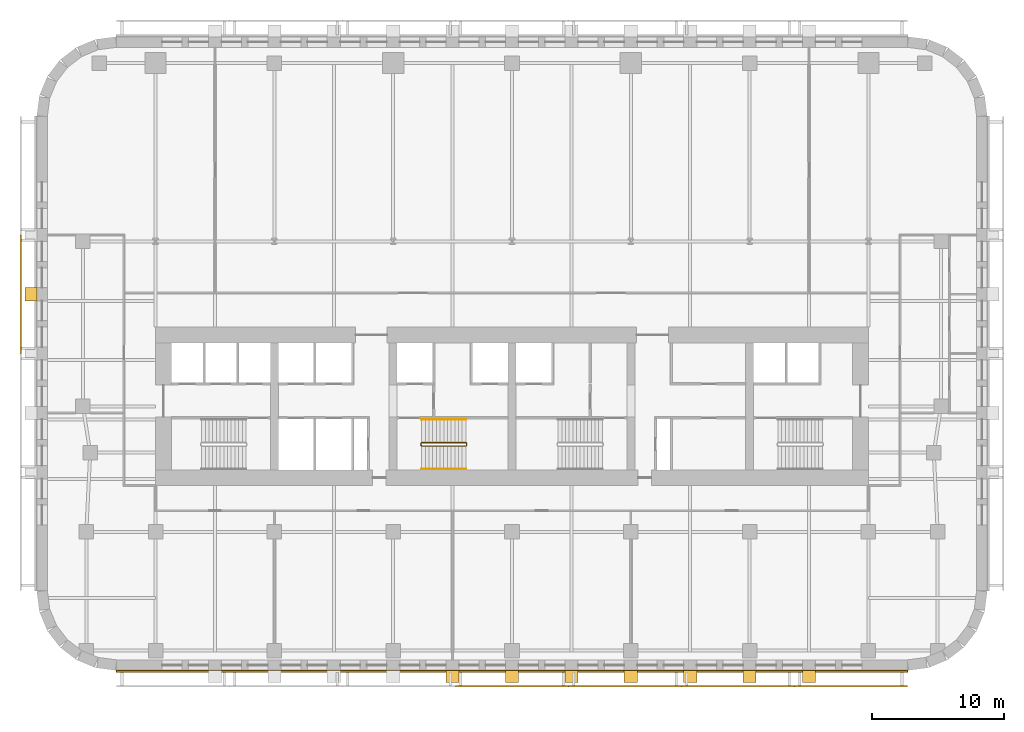
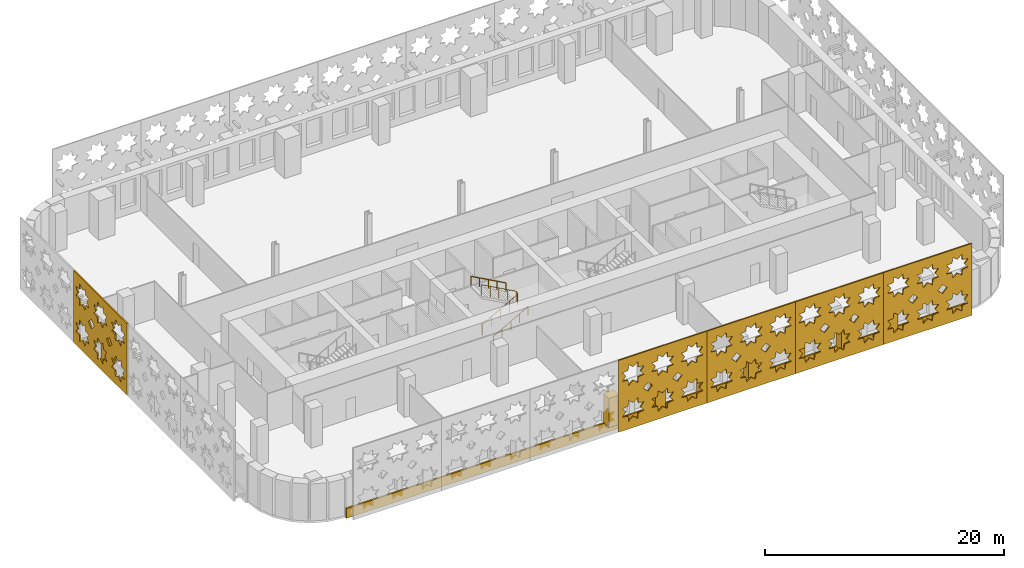
# One storey, part 10 of 13: 14 coverings, 3 railings.
"""IFC4 building model written with IfcOpenShell, lengths in metres."""

import ifcopenshell
import ifcopenshell.guid

model = None  # the IFC model being written
_history = None  # IfcOwnerHistory: only IFC2X3 demands one
_inside = {}  # id of a spatial element -> (the spatial element, [elements in it])
_under = {}  # id of a project, library or spatial element -> (it, [spatial elements below it])
_declared = {}  # id of a project -> (the project, [libraries it declares])
_typed = {}  # id of a type object -> (the type object, [elements of that type])
_made_of = {}  # id of a material, layer set ... -> (it, [elements and type objects made of it])


def new_model(schema):
    """Start an empty IFC model of exactly this schema.

    Asked for "IFC4X3", IfcOpenShell would pick the latest addendum, in which some entities
    have other attributes; the version numbers below select the first issue.
    IFC2X3 requires an IfcOwnerHistory on every rooted entity: one is made here for all.
    """
    global model, _history
    if schema == "IFC4X3":
        model = ifcopenshell.file(schema_version=(4, 3, 0, 0))
    else:
        model = ifcopenshell.file(schema=schema)
    _inside.clear()
    _under.clear()
    _declared.clear()
    _typed.clear()
    _made_of.clear()
    _history = None
    if model.schema == "IFC2X3":
        org = make("IfcOrganization", Name="unknown")
        user = make(
            "IfcPersonAndOrganization",
            ThePerson=make("IfcPerson", FamilyName="unknown"),
            TheOrganization=org,
        )
        app = make(
            "IfcApplication",
            ApplicationDeveloper=org,
            Version="unknown",
            ApplicationFullName="unknown",
            ApplicationIdentifier="unknown",
        )
        _history = make(
            "IfcOwnerHistory",
            OwningUser=user,
            OwningApplication=app,
            ChangeAction="ADDED",
            CreationDate=0,
        )
    return model


def make(cls, **values):
    """One entity of the class cls with the attributes given. An attribute that is None is left unset."""
    return model.create_entity(
        cls, **{name: value for name, value in values.items() if value is not None}
    )


def rooted(cls, **values):
    """An entity with a GlobalId (a new one), such as an element, a storey or a relation."""
    return make(cls, GlobalId=ifcopenshell.guid.new(), OwnerHistory=_history, **values)


def si_unit(unit_type, name, prefix=None):
    """IfcSIUnit, for example si_unit("LENGTHUNIT", "METRE", prefix="MILLI")."""
    return make("IfcSIUnit", UnitType=unit_type, Prefix=prefix, Name=name)


def assignment(units):
    """IfcUnitAssignment: the units of a project."""
    return None if units is None else make("IfcUnitAssignment", Units=units)


def point(xyz):
    """IfcCartesianPoint."""
    return None if xyz is None else make("IfcCartesianPoint", Coordinates=xyz)


def direction(xyz):
    """IfcDirection."""
    return None if xyz is None else make("IfcDirection", DirectionRatios=xyz)


def frame(location, z_axis=None, x_axis=None):
    """IfcAxis2Placement3D, a coordinate frame: its origin and axes. An axis left out is left unset."""
    return make(
        "IfcAxis2Placement3D",
        Location=point(location),
        Axis=direction(z_axis),
        RefDirection=direction(x_axis),
    )


def frame_2d(location, x_axis=None):
    """IfcAxis2Placement2D, a coordinate frame in the plane: its origin and x axis."""
    return make(
        "IfcAxis2Placement2D", Location=point(location), RefDirection=direction(x_axis)
    )


def origin():
    """The frame at (0, 0, 0) with its axes left unset."""
    return frame((0.0, 0.0, 0.0))


def origin_2d():
    """The frame at (0, 0) in the plane with its x axis left unset."""
    return frame_2d((0.0, 0.0))


def place(relative_to, where):
    """IfcLocalPlacement: puts the frame where relative to a parent placement (None: the world)."""
    return make(
        "IfcLocalPlacement", PlacementRelTo=relative_to, RelativePlacement=where
    )


def context(
    kind, dimensions, precision=None, world=None, true_north=None, identifier=None
):
    """IfcGeometricRepresentationContext, for example the 3D "Model" context."""
    return make(
        "IfcGeometricRepresentationContext",
        ContextIdentifier=identifier,
        ContextType=kind,
        CoordinateSpaceDimension=dimensions,
        Precision=precision,
        WorldCoordinateSystem=world,
        TrueNorth=true_north,
    )


def subcontext(parent, identifier, kind, view, scale=None):
    """IfcGeometricRepresentationSubContext, for example "Body" below "Model"."""
    return make(
        "IfcGeometricRepresentationSubContext",
        ContextIdentifier=identifier,
        ContextType=kind,
        ParentContext=parent,
        TargetScale=scale,
        TargetView=view,
    )


def project(units=None, contexts=None):
    """IfcProject with its units and contexts."""
    return rooted(
        "IfcProject",
        Name="project",
        RepresentationContexts=contexts,
        UnitsInContext=assignment(units),
    )


def spatial(cls, under=None, at=None, **own):
    """A site, building, storey or space (cls), placed at a placement, below another one or the project."""
    s = rooted(cls, ObjectPlacement=at, **own)
    if under is not None:
        _under.setdefault(under.id(), (under, []))[1].append(s)
    return s


def polyline(points):
    """IfcPolyline through the points."""
    return make("IfcPolyline", Points=[point(p) for p in points])


def profile(cls, at=None, kind="AREA", **sizes):
    """A parametric profile (cls). Its sizes go by their IFC names, for example OverallWidth=200.0."""
    return make(cls, ProfileType=kind, Position=at, **sizes)


def circle(**sizes):
    """IfcCircleProfileDef."""
    return profile("IfcCircleProfileDef", **sizes)


def outline(outer, holes=None, kind="AREA"):
    """IfcArbitraryClosedProfileDef: a profile drawn as a closed curve; with holes, ...WithVoids."""
    if holes is None:
        return make("IfcArbitraryClosedProfileDef", ProfileType=kind, OuterCurve=outer)
    return make(
        "IfcArbitraryProfileDefWithVoids",
        ProfileType=kind,
        OuterCurve=outer,
        InnerCurves=holes,
    )


def extrude(swept, where, along, depth):
    """IfcExtrudedAreaSolid: the profile swept, set in the frame where, extruded along a direction by depth."""
    return make(
        "IfcExtrudedAreaSolid",
        SweptArea=swept,
        Position=where,
        ExtrudedDirection=direction(along),
        Depth=depth,
    )


def shape(context_of_items, identifier, shape_type, items):
    """IfcShapeRepresentation: the items that make up one representation, for example the "Body"."""
    return make(
        "IfcShapeRepresentation",
        ContextOfItems=context_of_items,
        RepresentationIdentifier=identifier,
        RepresentationType=shape_type,
        Items=items,
    )


def material(Name=None, Category=None):
    """IfcMaterial."""
    return make("IfcMaterial", Name=Name, Category=Category)


def layer(
    of_material, thickness, ventilated=None, Name=None, Category=None, Priority=None
):
    """IfcMaterialLayer: one layer of a wall or slab, of a material (None: an air gap)."""
    return make(
        "IfcMaterialLayer",
        Material=of_material,
        LayerThickness=thickness,
        IsVentilated=ventilated,
        Name=Name,
        Category=Category,
        Priority=Priority,
    )


def layer_set(layers, Name=None):
    """IfcMaterialLayerSet."""
    return make("IfcMaterialLayerSet", MaterialLayers=layers, LayerSetName=Name)


def made_of(thing, what):
    """Note that an element or type object is made of a material, layer set ...; save() writes the relation."""
    if what is not None:
        _made_of.setdefault(what.id(), (what, []))[1].append(thing)
    return thing


def type_object(cls, material=None, **own):
    """A type object (cls), such as IfcWallType, which elements share."""
    return made_of(rooted(cls, **own), material)


def element(
    cls,
    number,
    at=None,
    inside=None,
    cuts=None,
    type_object=None,
    material=None,
    context=None,
    identifier="Body",
    shape_type=None,
    held_by="IfcProductDefinitionShape",
    body=None,
    shapes=None,
    **own,
):
    """One element of the class cls, such as IfcWall. Its Tag is "e" and its number.

    at: its placement. inside: the storey or other place that contains it. cuts: it is an
    opening in that element (IfcRelVoidsElement). A single representation is given by context,
    identifier, shape_type and body (its items); several are given by shapes. held_by: the class
    of the entity that holds the representations. save() writes the other relations.
    """
    e = rooted(cls, Tag="e%d" % number, ObjectPlacement=at, **own)
    if body is not None:
        shapes = [shape(context, identifier, shape_type, body)]
    if shapes is not None:
        e.Representation = make(held_by, Representations=shapes)
    if inside is not None:
        _inside.setdefault(inside.id(), (inside, []))[1].append(e)
    if cuts is not None:
        rooted(
            "IfcRelVoidsElement", RelatingBuildingElement=cuts, RelatedOpeningElement=e
        )
    if type_object is not None:
        _typed.setdefault(type_object.id(), (type_object, []))[1].append(e)
    return made_of(e, material)


def aggregate(whole, parts):
    """IfcRelAggregates: a whole, such as a stair, and the parts it consists of."""
    return rooted("IfcRelAggregates", RelatingObject=whole, RelatedObjects=parts)


def save(model, path):
    """Write the relations noted so far, then the file.

    IfcRelAggregates (storeys below a building ...), IfcRelContainedInSpatialStructure (elements
    in a storey), IfcRelDefinesByType, IfcRelAssociatesMaterial and IfcRelDeclares: one each for
    every whole, place, type object, material and project.
    """
    for whole, parts in _under.values():
        aggregate(whole, parts)
    for where, things in _inside.values():
        rooted(
            "IfcRelContainedInSpatialStructure",
            RelatedElements=things,
            RelatingStructure=where,
        )
    for kind, things in _typed.values():
        rooted("IfcRelDefinesByType", RelatedObjects=things, RelatingType=kind)
    for what, things in _made_of.values():
        rooted("IfcRelAssociatesMaterial", RelatedObjects=things, RelatingMaterial=what)
    for by, libraries in _declared.values():
        rooted("IfcRelDeclares", RelatingContext=by, RelatedDefinitions=libraries)
    model.write(path)


model = new_model("IFC4")

# Units and contexts
model_context = context("Model", 3, precision=1e-05, world=origin(), true_north=direction((0.0, 1.0)))
body_context = subcontext(model_context, "Body", "Model", "MODEL_VIEW")
ifc_project = project(units=[si_unit("LENGTHUNIT", "METRE"), si_unit("AREAUNIT", "SQUARE_METRE"), si_unit("VOLUMEUNIT", "CUBIC_METRE"), si_unit("PLANEANGLEUNIT", "RADIAN"), si_unit("MASSUNIT", "GRAM", prefix="KILO")], contexts=[model_context])

# Site, building, storey
site_placement = place(None, origin())
site = spatial("IfcSite", under=ifc_project, at=site_placement, CompositionType="ELEMENT")
building_placement = place(site_placement, origin())
building = spatial("IfcBuilding", under=site, at=building_placement, Name="Zellij Exchange Tower", CompositionType="ELEMENT")
storey_placement = place(building_placement, frame((0.0, 0.0, 60.5)))
storey = spatial("IfcBuildingStorey", under=building, at=storey_placement, Name="L11", CompositionType="ELEMENT", Elevation=60.5)

# Railings
ifc_material_1 = material(Name="Stainless steel", Category="steel")
railing_type_1 = type_object("IfcRailingType", Name="CORE-RG stair guard", PredefinedType="GUARDRAIL", material=ifc_material_1)
railing_1_placement = place(storey_placement, frame((-6.89990234375, -10.949951171875, 0.0)))
element("IfcRailing", 1, at=railing_1_placement, inside=storey, type_object=railing_type_1, Name="ST2 stair guard L11", PredefinedType="GUARDRAIL", context=body_context, shape_type="SweptSolid", body=[
    extrude(circle(Radius=0.02392578125, at=origin_2d()), frame((0.0, 0.0, 1.076171875), z_axis=(0.0, 1.0, 0.0), x_axis=(-1.0, 0.0, 0.0)), (0.0, 0.0, 1.0), 0.14990234375),
    extrude(circle(Radius=0.02392578125, at=origin_2d()), frame((0.0, 0.14990234375, 1.076171875), z_axis=(0.193691321961, -0.777613689637, 0.598164376644), x_axis=(0.970351222016, 0.241699205484, 0.0)), (0.0, 0.0, 1.0), 0.257080078125),
    extrude(circle(Radius=0.02392578125, at=origin_2d()), frame((0.0498046875, -0.050048828125, 1.22998046875), z_axis=(0.876421534553, 0.0, 0.481544695509), x_axis=(0.0, 1.0, 0.0)), (0.0, 0.0, 1.0), 3.833984375),
    extrude(circle(Radius=0.02392578125, at=origin_2d()), frame((3.409912109375, -0.050048828125, 3.076171875), z_axis=(0.707106781187, 0.707106781187, 0.0), x_axis=(-0.707106781187, 0.707106781187, 0.0)), (0.0, 0.0, 1.0), 0.07080078125),
    extrude(circle(Radius=0.02392578125, at=origin_2d()), frame((3.4599609375, 0.0, 3.076171875), z_axis=(0.0, 1.0, 0.0), x_axis=(-1.0, 0.0, 0.0)), (0.0, 0.0, 1.0), 0.14990234375),
    extrude(circle(Radius=0.02392578125, at=origin_2d()), frame((3.4599609375, 0.14990234375, 3.076171875), z_axis=(-0.295599637079, 0.295599637079, 0.908428152975), x_axis=(-0.707106781187, -0.707106781187, 0.0)), (0.0, 0.0, 1.0), 0.16943359375),
    extrude(circle(Radius=0.02392578125, at=origin_2d()), frame((3.409912109375, 0.199951171875, 3.22998046875), z_axis=(-0.876421534553, 0.0, 0.481544695509), x_axis=(0.0, -1.0, 0.0)), (0.0, 0.0, 1.0), 3.833984375),
    extrude(circle(Radius=0.02099609375, at=origin_2d()), origin(), (0.0, 0.0, 1.0), 1.052001953125),
    extrude(circle(Radius=0.02099609375, at=origin_2d()), frame((0.0, 0.14990234375, 0.0)), (0.0, 0.0, 1.0), 1.052001953125),
    extrude(circle(Radius=0.02099609375, at=origin_2d()), frame((0.0498046875, -0.050048828125, 0.15380859375)), (0.0, 0.0, 1.0), 1.052001953125),
    extrude(circle(Radius=0.02099609375, at=origin_2d()), frame((0.889892578125, -0.050048828125, 0.615234375)), (0.0, 0.0, 1.0), 1.052001953125),
    extrude(circle(Radius=0.02099609375, at=origin_2d()), frame((1.72998046875, -0.050048828125, 1.076904296875)), (0.0, 0.0, 1.0), 1.052001953125),
    extrude(circle(Radius=0.02099609375, at=origin_2d()), frame((2.56982421875, -0.050048828125, 1.53857421875)), (0.0, 0.0, 1.0), 1.052001953125),
    extrude(circle(Radius=0.02099609375, at=origin_2d()), frame((3.409912109375, -0.050048828125, 2.0)), (0.0, 0.0, 1.0), 1.052001953125),
    extrude(circle(Radius=0.02099609375, at=origin_2d()), frame((3.4599609375, 0.0, 2.0)), (0.0, 0.0, 1.0), 1.052001953125),
    extrude(circle(Radius=0.02099609375, at=origin_2d()), frame((3.4599609375, 0.14990234375, 2.0)), (0.0, 0.0, 1.0), 1.052001953125),
    extrude(circle(Radius=0.02099609375, at=origin_2d()), frame((3.409912109375, 0.199951171875, 2.15380859375)), (0.0, 0.0, 1.0), 1.052001953125),
    extrude(circle(Radius=0.02099609375, at=origin_2d()), frame((2.56982421875, 0.199951171875, 2.615234375)), (0.0, 0.0, 1.0), 1.052001953125),
    extrude(circle(Radius=0.02099609375, at=origin_2d()), frame((1.72998046875, 0.199951171875, 3.076904296875)), (0.0, 0.0, 1.0), 1.052001953125),
    extrude(circle(Radius=0.02099609375, at=origin_2d()), frame((0.889892578125, 0.199951171875, 3.53857421875)), (0.0, 0.0, 1.0), 1.052001953125),
    extrude(circle(Radius=0.02099609375, at=origin_2d()), frame((0.0498046875, 0.199951171875, 4.0)), (0.0, 0.0, 1.0), 1.052001953125),
])
railing_type_2 = type_object("IfcRailingType", Name="CORE-RH stair handrail", PredefinedType="HANDRAIL", material=ifc_material_1)
railing_2_placement = place(storey_placement, frame((-6.85009765625, -12.75, 0.15380859375)))
element("IfcRailing", 2, at=railing_2_placement, inside=storey, type_object=railing_type_2, Name="ST2 stair handrail L11", PredefinedType="HANDRAIL", context=body_context, shape_type="SweptSolid", body=[
    extrude(circle(Radius=0.02392578125, at=origin_2d()), frame((0.0, 0.0, 0.8759765625), z_axis=(0.876421534553, 0.0, 0.481544695509), x_axis=(0.0, 1.0, 0.0)), (0.0, 0.0, 1.0), 3.833984375),
    extrude(circle(Radius=0.02099609375, at=origin_2d()), origin(), (0.0, 0.0, 1.0), 0.851806640625),
    extrude(circle(Radius=0.02099609375, at=origin_2d()), frame((0.840087890625, 0.0, 0.46142578125)), (0.0, 0.0, 1.0), 0.851806640625),
    extrude(circle(Radius=0.02099609375, at=origin_2d()), frame((1.68017578125, 0.0, 0.923095703125)), (0.0, 0.0, 1.0), 0.851806640625),
    extrude(circle(Radius=0.02099609375, at=origin_2d()), frame((2.52001953125, 0.0, 1.384765625)), (0.0, 0.0, 1.0), 0.851806640625),
    extrude(circle(Radius=0.02099609375, at=origin_2d()), frame((3.360107421875, 0.0, 1.84619140625)), (0.0, 0.0, 1.0), 0.851806640625),
])
railing_3_placement = place(storey_placement, frame((-3.489990234375, -9.0, 2.15380859375)))
element("IfcRailing", 3, at=railing_3_placement, inside=storey, type_object=railing_type_2, Name="ST2 stair handrail L11", PredefinedType="HANDRAIL", context=body_context, shape_type="SweptSolid", body=[
    extrude(circle(Radius=0.02392578125, at=origin_2d()), frame((0.0, 0.0, 0.8759765625), z_axis=(-0.876421534553, 0.0, 0.481544695509), x_axis=(0.0, -1.0, 0.0)), (0.0, 0.0, 1.0), 3.833984375),
    extrude(circle(Radius=0.02099609375, at=origin_2d()), origin(), (0.0, 0.0, 1.0), 0.851806640625),
    extrude(circle(Radius=0.02099609375, at=origin_2d()), frame((-0.840087890625, 0.0, 0.46142578125)), (0.0, 0.0, 1.0), 0.851806640625),
    extrude(circle(Radius=0.02099609375, at=origin_2d()), frame((-1.68017578125, 0.0, 0.923095703125)), (0.0, 0.0, 1.0), 0.851806640625),
    extrude(circle(Radius=0.02099609375, at=origin_2d()), frame((-2.52001953125, 0.0, 1.384765625)), (0.0, 0.0, 1.0), 0.851806640625),
    extrude(circle(Radius=0.02099609375, at=origin_2d()), frame((-3.360107421875, 0.0, 1.84619140625)), (0.0, 0.0, 1.0), 0.851806640625),
])

# Coverings
ifc_material_2 = material(Name="Limestone cladding", Category="masonry")
ifc_layer_1 = layer(ifc_material_2, 0.14990234375)
ifc_layer_set_1 = layer_set([ifc_layer_1], Name="Limestone cladding")
covering_type_1 = type_object("IfcCoveringType", Name="ENV-CV1 Stone spandrel band 150", PredefinedType="CLADDING", material=ifc_layer_set_1)
covering_1_placement = place(storey_placement, frame((0.0, 0.0, -0.199951171875)))
element("IfcCovering", 4, at=covering_1_placement, inside=storey, type_object=covering_type_1, Name="Stone spandrel band", PredefinedType="CLADDING", context=body_context, shape_type="SweptSolid", body=[
    extrude(outline(polyline([(-29.973876953125, -28.0), (29.973876953125, -28.0), (29.983642578125, -28.14990234375), (-29.983642578125, -28.14990234375), (-29.973876953125, -28.0)])), origin(), (0.0, 0.0, 1.0), 1.0),
])
covering_type_2 = type_object("IfcCoveringType", Name="ENV-CV2 Stone pier 1000x900", PredefinedType="CLADDING", material=ifc_material_2)
covering_2_placement = place(storey_placement, frame((0.0, 0.0, 0.800048828125)))
element("IfcCovering", 5, at=covering_2_placement, inside=storey, type_object=covering_type_2, Name="Stone pier", PredefinedType="CLADDING", context=body_context, shape_type="SweptSolid", body=[
    extrude(outline(polyline([(-5.0, -28.0), (-4.0, -28.0), (-4.0, -28.89990234375), (-5.0, -28.89990234375), (-5.0, -28.0)])), origin(), (0.0, 0.0, 1.0), 3.0),
])
covering_3_placement = place(storey_placement, frame((0.0, 0.0, 0.800048828125)))
element("IfcCovering", 6, at=covering_3_placement, inside=storey, type_object=covering_type_2, Name="Stone pier", PredefinedType="CLADDING", context=body_context, shape_type="SweptSolid", body=[
    extrude(outline(polyline([(-0.5, -28.0), (0.5, -28.0), (0.5, -28.89990234375), (-0.5, -28.89990234375), (-0.5, -28.0)])), origin(), (0.0, 0.0, 1.0), 3.0),
])
covering_4_placement = place(storey_placement, frame((0.0, 0.0, 0.800048828125)))
element("IfcCovering", 7, at=covering_4_placement, inside=storey, type_object=covering_type_2, Name="Stone pier", PredefinedType="CLADDING", context=body_context, shape_type="SweptSolid", body=[
    extrude(outline(polyline([(4.0, -28.0), (5.0, -28.0), (5.0, -28.89990234375), (4.0, -28.89990234375), (4.0, -28.0)])), origin(), (0.0, 0.0, 1.0), 3.0),
])
covering_5_placement = place(storey_placement, frame((0.0, 0.0, 0.800048828125)))
element("IfcCovering", 8, at=covering_5_placement, inside=storey, type_object=covering_type_2, Name="Stone pier", PredefinedType="CLADDING", context=body_context, shape_type="SweptSolid", body=[
    extrude(outline(polyline([(8.5, -28.0), (9.5, -28.0), (9.5, -28.89990234375), (8.5, -28.89990234375), (8.5, -28.0)])), origin(), (0.0, 0.0, 1.0), 3.0),
])
covering_6_placement = place(storey_placement, frame((0.0, 0.0, 0.800048828125)))
element("IfcCovering", 9, at=covering_6_placement, inside=storey, type_object=covering_type_2, Name="Stone pier", PredefinedType="CLADDING", context=body_context, shape_type="SweptSolid", body=[
    extrude(outline(polyline([(13.0, -28.0), (14.0, -28.0), (14.0, -28.89990234375), (13.0, -28.89990234375), (13.0, -28.0)])), origin(), (0.0, 0.0, 1.0), 3.0),
])
covering_7_placement = place(storey_placement, frame((0.0, 0.0, 0.800048828125)))
element("IfcCovering", 10, at=covering_7_placement, inside=storey, type_object=covering_type_2, Name="Stone pier", PredefinedType="CLADDING", context=body_context, shape_type="SweptSolid", body=[
    extrude(outline(polyline([(17.5, -28.0), (18.5, -28.0), (18.5, -28.89990234375), (17.5, -28.89990234375), (17.5, -28.0)])), origin(), (0.0, 0.0, 1.0), 3.0),
])
covering_8_placement = place(storey_placement, frame((0.0, 0.0, 0.800048828125)))
element("IfcCovering", 11, at=covering_8_placement, inside=storey, type_object=covering_type_2, Name="Stone pier", PredefinedType="CLADDING", context=body_context, shape_type="SweptSolid", body=[
    extrude(outline(polyline([(22.0, -28.0), (23.0, -28.0), (23.0, -28.89990234375), (22.0, -28.89990234375), (22.0, -28.0)])), origin(), (0.0, 0.0, 1.0), 3.0),
])
covering_9_placement = place(storey_placement, frame((0.0, 0.0, 0.800048828125)))
element("IfcCovering", 12, at=covering_9_placement, inside=storey, type_object=covering_type_2, Name="Stone pier", PredefinedType="CLADDING", context=body_context, shape_type="SweptSolid", body=[
    extrude(outline(polyline([(-36.0, 0.993408203125), (-36.0, -0.006591796875), (-36.89990234375, -0.006591796875), (-36.89990234375, 0.993408203125), (-36.0, 0.993408203125)])), origin(), (0.0, 0.0, 1.0), 3.0),
])
ifc_material_3 = material(Name="Limestone screen", Category="masonry")
ifc_layer_2 = layer(ifc_material_3, 0.1201171875)
ifc_layer_set_2 = layer_set([ifc_layer_2], Name="Limestone screen")
covering_type_3 = type_object("IfcCoveringType", Name="ENV-SC1 Pierced stone screen 120", PredefinedType="USERDEFINED", material=ifc_layer_set_2)
covering_10_placement = place(storey_placement, frame((-37.2099609375, 4.973876953125, 0.300048828125), z_axis=(0.0, 0.0, 1.0), x_axis=(0.0, -1.0, 0.0)))
element("IfcCovering", 13, at=covering_10_placement, inside=storey, type_object=covering_type_3, Name="Pierced stone screen", ObjectType="SCREEN", PredefinedType="USERDEFINED", context=body_context, shape_type="SweptSolid", body=[
    extrude(outline(polyline([(0.0, 0.0), (8.973876953125, 0.0), (8.973876953125, 7.35009765625), (0.0, 7.35009765625), (0.0, 0.0)]), holes=[polyline([(2.60107421875, 2.29541015625), (2.020263671875, 2.362060546875), (1.95361328125, 2.94287109375), (1.49560546875, 2.579345703125), (1.03759765625, 2.94287109375), (0.97119140625, 2.362060546875), (0.39013671875, 2.29541015625), (0.75390625, 1.83740234375), (0.39013671875, 1.379638671875), (0.97119140625, 1.31298828125), (1.03759765625, 0.732177734375), (1.49560546875, 1.095703125), (1.95361328125, 0.732177734375), (2.020263671875, 1.31298828125), (2.60107421875, 1.379638671875), (2.237548828125, 1.83740234375), (2.60107421875, 2.29541015625)]), polyline([(2.60107421875, 5.970458984375), (2.020263671875, 6.037109375), (1.95361328125, 6.617919921875), (1.49560546875, 6.25439453125), (1.03759765625, 6.617919921875), (0.97119140625, 6.037109375), (0.39013671875, 5.970458984375), (0.75390625, 5.512451171875), (0.39013671875, 5.0546875), (0.97119140625, 4.98779296875), (1.03759765625, 4.406982421875), (1.49560546875, 4.770751953125), (1.95361328125, 4.406982421875), (2.020263671875, 4.98779296875), (2.60107421875, 5.0546875), (2.237548828125, 5.512451171875), (2.60107421875, 5.970458984375)]), polyline([(5.59228515625, 2.29541015625), (5.011474609375, 2.362060546875), (4.94482421875, 2.94287109375), (4.48681640625, 2.579345703125), (4.029052734375, 2.94287109375), (3.96240234375, 2.362060546875), (3.381591796875, 2.29541015625), (3.7451171875, 1.83740234375), (3.381591796875, 1.379638671875), (3.96240234375, 1.31298828125), (4.029052734375, 0.732177734375), (4.48681640625, 1.095703125), (4.94482421875, 0.732177734375), (5.011474609375, 1.31298828125), (5.59228515625, 1.379638671875), (5.228759765625, 1.83740234375), (5.59228515625, 2.29541015625)]), polyline([(5.59228515625, 5.970458984375), (5.011474609375, 6.037109375), (4.94482421875, 6.617919921875), (4.48681640625, 6.25439453125), (4.029052734375, 6.617919921875), (3.96240234375, 6.037109375), (3.381591796875, 5.970458984375), (3.7451171875, 5.512451171875), (3.381591796875, 5.0546875), (3.96240234375, 4.98779296875), (4.029052734375, 4.406982421875), (4.48681640625, 4.770751953125), (4.94482421875, 4.406982421875), (5.011474609375, 4.98779296875), (5.59228515625, 5.0546875), (5.228759765625, 5.512451171875), (5.59228515625, 5.970458984375)]), polyline([(8.58349609375, 2.29541015625), (8.002685546875, 2.362060546875), (7.93603515625, 2.94287109375), (7.478271484375, 2.579345703125), (7.020263671875, 2.94287109375), (6.95361328125, 2.362060546875), (6.372802734375, 2.29541015625), (6.736328125, 1.83740234375), (6.372802734375, 1.379638671875), (6.95361328125, 1.31298828125), (7.020263671875, 0.732177734375), (7.478271484375, 1.095703125), (7.93603515625, 0.732177734375), (8.002685546875, 1.31298828125), (8.58349609375, 1.379638671875), (8.219970703125, 1.83740234375), (8.58349609375, 2.29541015625)]), polyline([(8.58349609375, 5.970458984375), (8.002685546875, 6.037109375), (7.93603515625, 6.617919921875), (7.478271484375, 6.25439453125), (7.020263671875, 6.617919921875), (6.95361328125, 6.037109375), (6.372802734375, 5.970458984375), (6.736328125, 5.512451171875), (6.372802734375, 5.0546875), (6.95361328125, 4.98779296875), (7.020263671875, 4.406982421875), (7.478271484375, 4.770751953125), (7.93603515625, 4.406982421875), (8.002685546875, 4.98779296875), (8.58349609375, 5.0546875), (8.219970703125, 5.512451171875), (8.58349609375, 5.970458984375)]), polyline([(3.469970703125, 3.675048828125), (2.9912109375, 4.153564453125), (2.5126953125, 3.675048828125), (2.9912109375, 3.1962890625), (3.469970703125, 3.675048828125)]), polyline([(6.461181640625, 3.675048828125), (5.982421875, 4.153564453125), (5.50390625, 3.675048828125), (5.982421875, 3.1962890625), (6.461181640625, 3.675048828125)])]), frame((0.0, 0.06005859375, 0.0), z_axis=(0.0, -1.0, 0.0), x_axis=(1.0, 0.0, 0.0)), (0.0, 0.0, 1.0), 0.1201171875),
])
covering_11_placement = place(storey_placement, frame((-4.2783203125, -29.2099609375, 0.300048828125), z_axis=(0.0, 0.0, 1.0), x_axis=(1.0, 0.0, 0.0)))
element("IfcCovering", 14, at=covering_11_placement, inside=storey, type_object=covering_type_3, Name="Pierced stone screen", ObjectType="SCREEN", PredefinedType="USERDEFINED", context=body_context, shape_type="SweptSolid", body=[
    extrude(outline(polyline([(0.0, 0.0), (8.556396484375, 0.0), (8.556396484375, 7.35009765625), (0.0, 7.35009765625), (0.0, 0.0)]), holes=[polyline([(2.47998046875, 2.274169921875), (1.92626953125, 2.337646484375), (1.86279296875, 2.8916015625), (1.426025390625, 2.544921875), (0.989501953125, 2.8916015625), (0.92578125, 2.337646484375), (0.3720703125, 2.274169921875), (0.71875, 1.83740234375), (0.3720703125, 1.40087890625), (0.92578125, 1.33740234375), (0.989501953125, 0.783447265625), (1.426025390625, 1.130126953125), (1.86279296875, 0.783447265625), (1.92626953125, 1.33740234375), (2.47998046875, 1.40087890625), (2.13330078125, 1.83740234375), (2.47998046875, 2.274169921875)]), polyline([(2.47998046875, 5.94921875), (1.92626953125, 6.0126953125), (1.86279296875, 6.56640625), (1.426025390625, 6.2197265625), (0.989501953125, 6.56640625), (0.92578125, 6.0126953125), (0.3720703125, 5.94921875), (0.71875, 5.512451171875), (0.3720703125, 5.075927734375), (0.92578125, 5.01220703125), (0.989501953125, 4.45849609375), (1.426025390625, 4.80517578125), (1.86279296875, 4.45849609375), (1.92626953125, 5.01220703125), (2.47998046875, 5.075927734375), (2.13330078125, 5.512451171875), (2.47998046875, 5.94921875)]), polyline([(5.332275390625, 2.274169921875), (4.7783203125, 2.337646484375), (4.71484375, 2.8916015625), (4.2783203125, 2.544921875), (3.841552734375, 2.8916015625), (3.778076171875, 2.337646484375), (3.22412109375, 2.274169921875), (3.57080078125, 1.83740234375), (3.22412109375, 1.40087890625), (3.778076171875, 1.33740234375), (3.841552734375, 0.783447265625), (4.2783203125, 1.130126953125), (4.71484375, 0.783447265625), (4.7783203125, 1.33740234375), (5.332275390625, 1.40087890625), (4.985595703125, 1.83740234375), (5.332275390625, 2.274169921875)]), polyline([(5.332275390625, 5.94921875), (4.7783203125, 6.0126953125), (4.71484375, 6.56640625), (4.2783203125, 6.2197265625), (3.841552734375, 6.56640625), (3.778076171875, 6.0126953125), (3.22412109375, 5.94921875), (3.57080078125, 5.512451171875), (3.22412109375, 5.075927734375), (3.778076171875, 5.01220703125), (3.841552734375, 4.45849609375), (4.2783203125, 4.80517578125), (4.71484375, 4.45849609375), (4.7783203125, 5.01220703125), (5.332275390625, 5.075927734375), (4.985595703125, 5.512451171875), (5.332275390625, 5.94921875)]), polyline([(8.184326171875, 2.274169921875), (7.630615234375, 2.337646484375), (7.56689453125, 2.8916015625), (7.13037109375, 2.544921875), (6.69384765625, 2.8916015625), (6.630126953125, 2.337646484375), (6.076416015625, 2.274169921875), (6.423095703125, 1.83740234375), (6.076416015625, 1.40087890625), (6.630126953125, 1.33740234375), (6.69384765625, 0.783447265625), (7.13037109375, 1.130126953125), (7.56689453125, 0.783447265625), (7.630615234375, 1.33740234375), (8.184326171875, 1.40087890625), (7.837646484375, 1.83740234375), (8.184326171875, 2.274169921875)]), polyline([(8.184326171875, 5.94921875), (7.630615234375, 6.0126953125), (7.56689453125, 6.56640625), (7.13037109375, 6.2197265625), (6.69384765625, 6.56640625), (6.630126953125, 6.0126953125), (6.076416015625, 5.94921875), (6.423095703125, 5.512451171875), (6.076416015625, 5.075927734375), (6.630126953125, 5.01220703125), (6.69384765625, 4.45849609375), (7.13037109375, 4.80517578125), (7.56689453125, 4.45849609375), (7.630615234375, 5.01220703125), (8.184326171875, 5.075927734375), (7.837646484375, 5.512451171875), (8.184326171875, 5.94921875)]), polyline([(3.30859375, 3.675048828125), (2.852294921875, 4.13134765625), (2.395751953125, 3.675048828125), (2.852294921875, 3.21875), (3.30859375, 3.675048828125)]), polyline([(6.16064453125, 3.675048828125), (5.704345703125, 4.13134765625), (5.248046875, 3.675048828125), (5.704345703125, 3.21875), (6.16064453125, 3.675048828125)])]), frame((0.0, 0.06005859375, 0.0), z_axis=(0.0, -1.0, 0.0), x_axis=(1.0, 0.0, 0.0)), (0.0, 0.0, 1.0), 0.1201171875),
])
covering_12_placement = place(storey_placement, frame((4.2783203125, -29.2099609375, 0.300048828125), z_axis=(0.0, 0.0, 1.0), x_axis=(1.0, 0.0, 0.0)))
element("IfcCovering", 15, at=covering_12_placement, inside=storey, type_object=covering_type_3, Name="Pierced stone screen", ObjectType="SCREEN", PredefinedType="USERDEFINED", context=body_context, shape_type="SweptSolid", body=[
    extrude(outline(polyline([(0.0, 0.0), (8.556396484375, 0.0), (8.556396484375, 7.35009765625), (0.0, 7.35009765625), (0.0, 0.0)]), holes=[polyline([(2.47998046875, 2.274169921875), (1.92626953125, 2.337646484375), (1.86279296875, 2.8916015625), (1.426025390625, 2.544921875), (0.989501953125, 2.8916015625), (0.92578125, 2.337646484375), (0.3720703125, 2.274169921875), (0.71875, 1.83740234375), (0.3720703125, 1.40087890625), (0.92578125, 1.33740234375), (0.989501953125, 0.783447265625), (1.426025390625, 1.130126953125), (1.86279296875, 0.783447265625), (1.92626953125, 1.33740234375), (2.47998046875, 1.40087890625), (2.13330078125, 1.83740234375), (2.47998046875, 2.274169921875)]), polyline([(2.47998046875, 5.94921875), (1.92626953125, 6.0126953125), (1.86279296875, 6.56640625), (1.426025390625, 6.2197265625), (0.989501953125, 6.56640625), (0.92578125, 6.0126953125), (0.3720703125, 5.94921875), (0.71875, 5.512451171875), (0.3720703125, 5.075927734375), (0.92578125, 5.01220703125), (0.989501953125, 4.45849609375), (1.426025390625, 4.80517578125), (1.86279296875, 4.45849609375), (1.92626953125, 5.01220703125), (2.47998046875, 5.075927734375), (2.13330078125, 5.512451171875), (2.47998046875, 5.94921875)]), polyline([(5.332275390625, 2.274169921875), (4.7783203125, 2.337646484375), (4.71484375, 2.8916015625), (4.2783203125, 2.544921875), (3.841552734375, 2.8916015625), (3.778076171875, 2.337646484375), (3.22412109375, 2.274169921875), (3.57080078125, 1.83740234375), (3.22412109375, 1.40087890625), (3.778076171875, 1.33740234375), (3.841552734375, 0.783447265625), (4.2783203125, 1.130126953125), (4.71484375, 0.783447265625), (4.7783203125, 1.33740234375), (5.332275390625, 1.40087890625), (4.985595703125, 1.83740234375), (5.332275390625, 2.274169921875)]), polyline([(5.332275390625, 5.94921875), (4.7783203125, 6.0126953125), (4.71484375, 6.56640625), (4.2783203125, 6.2197265625), (3.841552734375, 6.56640625), (3.778076171875, 6.0126953125), (3.22412109375, 5.94921875), (3.57080078125, 5.512451171875), (3.22412109375, 5.075927734375), (3.778076171875, 5.01220703125), (3.841552734375, 4.45849609375), (4.2783203125, 4.80517578125), (4.71484375, 4.45849609375), (4.7783203125, 5.01220703125), (5.332275390625, 5.075927734375), (4.985595703125, 5.512451171875), (5.332275390625, 5.94921875)]), polyline([(8.184326171875, 2.274169921875), (7.630615234375, 2.337646484375), (7.56689453125, 2.8916015625), (7.13037109375, 2.544921875), (6.69384765625, 2.8916015625), (6.630126953125, 2.337646484375), (6.076416015625, 2.274169921875), (6.423095703125, 1.83740234375), (6.076416015625, 1.40087890625), (6.630126953125, 1.33740234375), (6.69384765625, 0.783447265625), (7.13037109375, 1.130126953125), (7.56689453125, 0.783447265625), (7.630615234375, 1.33740234375), (8.184326171875, 1.40087890625), (7.837646484375, 1.83740234375), (8.184326171875, 2.274169921875)]), polyline([(8.184326171875, 5.94921875), (7.630615234375, 6.0126953125), (7.56689453125, 6.56640625), (7.13037109375, 6.2197265625), (6.69384765625, 6.56640625), (6.630126953125, 6.0126953125), (6.076416015625, 5.94921875), (6.423095703125, 5.512451171875), (6.076416015625, 5.075927734375), (6.630126953125, 5.01220703125), (6.69384765625, 4.45849609375), (7.13037109375, 4.80517578125), (7.56689453125, 4.45849609375), (7.630615234375, 5.01220703125), (8.184326171875, 5.075927734375), (7.837646484375, 5.512451171875), (8.184326171875, 5.94921875)]), polyline([(3.30859375, 3.675048828125), (2.852294921875, 4.13134765625), (2.395751953125, 3.675048828125), (2.852294921875, 3.21875), (3.30859375, 3.675048828125)]), polyline([(6.16064453125, 3.675048828125), (5.704345703125, 4.13134765625), (5.248046875, 3.675048828125), (5.704345703125, 3.21875), (6.16064453125, 3.675048828125)])]), frame((0.0, 0.06005859375, 0.0), z_axis=(0.0, -1.0, 0.0), x_axis=(1.0, 0.0, 0.0)), (0.0, 0.0, 1.0), 0.1201171875),
])
covering_13_placement = place(storey_placement, frame((12.834716796875, -29.2099609375, 0.300048828125), z_axis=(0.0, 0.0, 1.0), x_axis=(1.0, 0.0, 0.0)))
element("IfcCovering", 16, at=covering_13_placement, inside=storey, type_object=covering_type_3, Name="Pierced stone screen", ObjectType="SCREEN", PredefinedType="USERDEFINED", context=body_context, shape_type="SweptSolid", body=[
    extrude(outline(polyline([(0.0, 0.0), (8.556396484375, 0.0), (8.556396484375, 7.35009765625), (0.0, 7.35009765625), (0.0, 0.0)]), holes=[polyline([(2.47998046875, 2.274169921875), (1.92626953125, 2.337646484375), (1.86279296875, 2.8916015625), (1.426025390625, 2.544921875), (0.989501953125, 2.8916015625), (0.92578125, 2.337646484375), (0.3720703125, 2.274169921875), (0.71875, 1.83740234375), (0.3720703125, 1.40087890625), (0.92578125, 1.33740234375), (0.989501953125, 0.783447265625), (1.426025390625, 1.130126953125), (1.86279296875, 0.783447265625), (1.92626953125, 1.33740234375), (2.47998046875, 1.40087890625), (2.13330078125, 1.83740234375), (2.47998046875, 2.274169921875)]), polyline([(2.47998046875, 5.94921875), (1.92626953125, 6.0126953125), (1.86279296875, 6.56640625), (1.426025390625, 6.2197265625), (0.989501953125, 6.56640625), (0.92578125, 6.0126953125), (0.3720703125, 5.94921875), (0.71875, 5.512451171875), (0.3720703125, 5.075927734375), (0.92578125, 5.01220703125), (0.989501953125, 4.45849609375), (1.426025390625, 4.80517578125), (1.86279296875, 4.45849609375), (1.92626953125, 5.01220703125), (2.47998046875, 5.075927734375), (2.13330078125, 5.512451171875), (2.47998046875, 5.94921875)]), polyline([(5.332275390625, 2.274169921875), (4.7783203125, 2.337646484375), (4.71484375, 2.8916015625), (4.2783203125, 2.544921875), (3.841552734375, 2.8916015625), (3.778076171875, 2.337646484375), (3.22412109375, 2.274169921875), (3.57080078125, 1.83740234375), (3.22412109375, 1.40087890625), (3.778076171875, 1.33740234375), (3.841552734375, 0.783447265625), (4.2783203125, 1.130126953125), (4.71484375, 0.783447265625), (4.7783203125, 1.33740234375), (5.332275390625, 1.40087890625), (4.985595703125, 1.83740234375), (5.332275390625, 2.274169921875)]), polyline([(5.332275390625, 5.94921875), (4.7783203125, 6.0126953125), (4.71484375, 6.56640625), (4.2783203125, 6.2197265625), (3.841552734375, 6.56640625), (3.778076171875, 6.0126953125), (3.22412109375, 5.94921875), (3.57080078125, 5.512451171875), (3.22412109375, 5.075927734375), (3.778076171875, 5.01220703125), (3.841552734375, 4.45849609375), (4.2783203125, 4.80517578125), (4.71484375, 4.45849609375), (4.7783203125, 5.01220703125), (5.332275390625, 5.075927734375), (4.985595703125, 5.512451171875), (5.332275390625, 5.94921875)]), polyline([(8.184326171875, 2.274169921875), (7.630615234375, 2.337646484375), (7.56689453125, 2.8916015625), (7.13037109375, 2.544921875), (6.69384765625, 2.8916015625), (6.630126953125, 2.337646484375), (6.076416015625, 2.274169921875), (6.423095703125, 1.83740234375), (6.076416015625, 1.40087890625), (6.630126953125, 1.33740234375), (6.69384765625, 0.783447265625), (7.13037109375, 1.130126953125), (7.56689453125, 0.783447265625), (7.630615234375, 1.33740234375), (8.184326171875, 1.40087890625), (7.837646484375, 1.83740234375), (8.184326171875, 2.274169921875)]), polyline([(8.184326171875, 5.94921875), (7.630615234375, 6.0126953125), (7.56689453125, 6.56640625), (7.13037109375, 6.2197265625), (6.69384765625, 6.56640625), (6.630126953125, 6.0126953125), (6.076416015625, 5.94921875), (6.423095703125, 5.512451171875), (6.076416015625, 5.075927734375), (6.630126953125, 5.01220703125), (6.69384765625, 4.45849609375), (7.13037109375, 4.80517578125), (7.56689453125, 4.45849609375), (7.630615234375, 5.01220703125), (8.184326171875, 5.075927734375), (7.837646484375, 5.512451171875), (8.184326171875, 5.94921875)]), polyline([(3.30859375, 3.675048828125), (2.852294921875, 4.13134765625), (2.395751953125, 3.675048828125), (2.852294921875, 3.21875), (3.30859375, 3.675048828125)]), polyline([(6.16064453125, 3.675048828125), (5.704345703125, 4.13134765625), (5.248046875, 3.675048828125), (5.704345703125, 3.21875), (6.16064453125, 3.675048828125)])]), frame((0.0, 0.06005859375, 0.0), z_axis=(0.0, -1.0, 0.0), x_axis=(1.0, 0.0, 0.0)), (0.0, 0.0, 1.0), 0.1201171875),
])
covering_14_placement = place(storey_placement, frame((21.39111328125, -29.2099609375, 0.300048828125), z_axis=(0.0, 0.0, 1.0), x_axis=(1.0, 0.0, 0.0)))
element("IfcCovering", 17, at=covering_14_placement, inside=storey, type_object=covering_type_3, Name="Pierced stone screen", ObjectType="SCREEN", PredefinedType="USERDEFINED", context=body_context, shape_type="SweptSolid", body=[
    extrude(outline(polyline([(0.0, 0.0), (8.556396484375, 0.0), (8.556396484375, 7.35009765625), (0.0, 7.35009765625), (0.0, 0.0)]), holes=[polyline([(2.47998046875, 2.274169921875), (1.92626953125, 2.337646484375), (1.86279296875, 2.8916015625), (1.426025390625, 2.544921875), (0.989501953125, 2.8916015625), (0.92578125, 2.337646484375), (0.3720703125, 2.274169921875), (0.71875, 1.83740234375), (0.3720703125, 1.40087890625), (0.92578125, 1.33740234375), (0.989501953125, 0.783447265625), (1.426025390625, 1.130126953125), (1.86279296875, 0.783447265625), (1.92626953125, 1.33740234375), (2.47998046875, 1.40087890625), (2.13330078125, 1.83740234375), (2.47998046875, 2.274169921875)]), polyline([(2.47998046875, 5.94921875), (1.92626953125, 6.0126953125), (1.86279296875, 6.56640625), (1.426025390625, 6.2197265625), (0.989501953125, 6.56640625), (0.92578125, 6.0126953125), (0.3720703125, 5.94921875), (0.71875, 5.512451171875), (0.3720703125, 5.075927734375), (0.92578125, 5.01220703125), (0.989501953125, 4.45849609375), (1.426025390625, 4.80517578125), (1.86279296875, 4.45849609375), (1.92626953125, 5.01220703125), (2.47998046875, 5.075927734375), (2.13330078125, 5.512451171875), (2.47998046875, 5.94921875)]), polyline([(5.332275390625, 2.274169921875), (4.7783203125, 2.337646484375), (4.71484375, 2.8916015625), (4.2783203125, 2.544921875), (3.841552734375, 2.8916015625), (3.778076171875, 2.337646484375), (3.22412109375, 2.274169921875), (3.57080078125, 1.83740234375), (3.22412109375, 1.40087890625), (3.778076171875, 1.33740234375), (3.841552734375, 0.783447265625), (4.2783203125, 1.130126953125), (4.71484375, 0.783447265625), (4.7783203125, 1.33740234375), (5.332275390625, 1.40087890625), (4.985595703125, 1.83740234375), (5.332275390625, 2.274169921875)]), polyline([(5.332275390625, 5.94921875), (4.7783203125, 6.0126953125), (4.71484375, 6.56640625), (4.2783203125, 6.2197265625), (3.841552734375, 6.56640625), (3.778076171875, 6.0126953125), (3.22412109375, 5.94921875), (3.57080078125, 5.512451171875), (3.22412109375, 5.075927734375), (3.778076171875, 5.01220703125), (3.841552734375, 4.45849609375), (4.2783203125, 4.80517578125), (4.71484375, 4.45849609375), (4.7783203125, 5.01220703125), (5.332275390625, 5.075927734375), (4.985595703125, 5.512451171875), (5.332275390625, 5.94921875)]), polyline([(8.184326171875, 2.274169921875), (7.630615234375, 2.337646484375), (7.56689453125, 2.8916015625), (7.13037109375, 2.544921875), (6.69384765625, 2.8916015625), (6.630126953125, 2.337646484375), (6.076416015625, 2.274169921875), (6.423095703125, 1.83740234375), (6.076416015625, 1.40087890625), (6.630126953125, 1.33740234375), (6.69384765625, 0.783447265625), (7.13037109375, 1.130126953125), (7.56689453125, 0.783447265625), (7.630615234375, 1.33740234375), (8.184326171875, 1.40087890625), (7.837646484375, 1.83740234375), (8.184326171875, 2.274169921875)]), polyline([(8.184326171875, 5.94921875), (7.630615234375, 6.0126953125), (7.56689453125, 6.56640625), (7.13037109375, 6.2197265625), (6.69384765625, 6.56640625), (6.630126953125, 6.0126953125), (6.076416015625, 5.94921875), (6.423095703125, 5.512451171875), (6.076416015625, 5.075927734375), (6.630126953125, 5.01220703125), (6.69384765625, 4.45849609375), (7.13037109375, 4.80517578125), (7.56689453125, 4.45849609375), (7.630615234375, 5.01220703125), (8.184326171875, 5.075927734375), (7.837646484375, 5.512451171875), (8.184326171875, 5.94921875)]), polyline([(3.30859375, 3.675048828125), (2.852294921875, 4.13134765625), (2.395751953125, 3.675048828125), (2.852294921875, 3.21875), (3.30859375, 3.675048828125)]), polyline([(6.16064453125, 3.675048828125), (5.704345703125, 4.13134765625), (5.248046875, 3.675048828125), (5.704345703125, 3.21875), (6.16064453125, 3.675048828125)])]), frame((0.0, 0.06005859375, 0.0), z_axis=(0.0, -1.0, 0.0), x_axis=(1.0, 0.0, 0.0)), (0.0, 0.0, 1.0), 0.1201171875),
])

save(model, "model.ifc")
